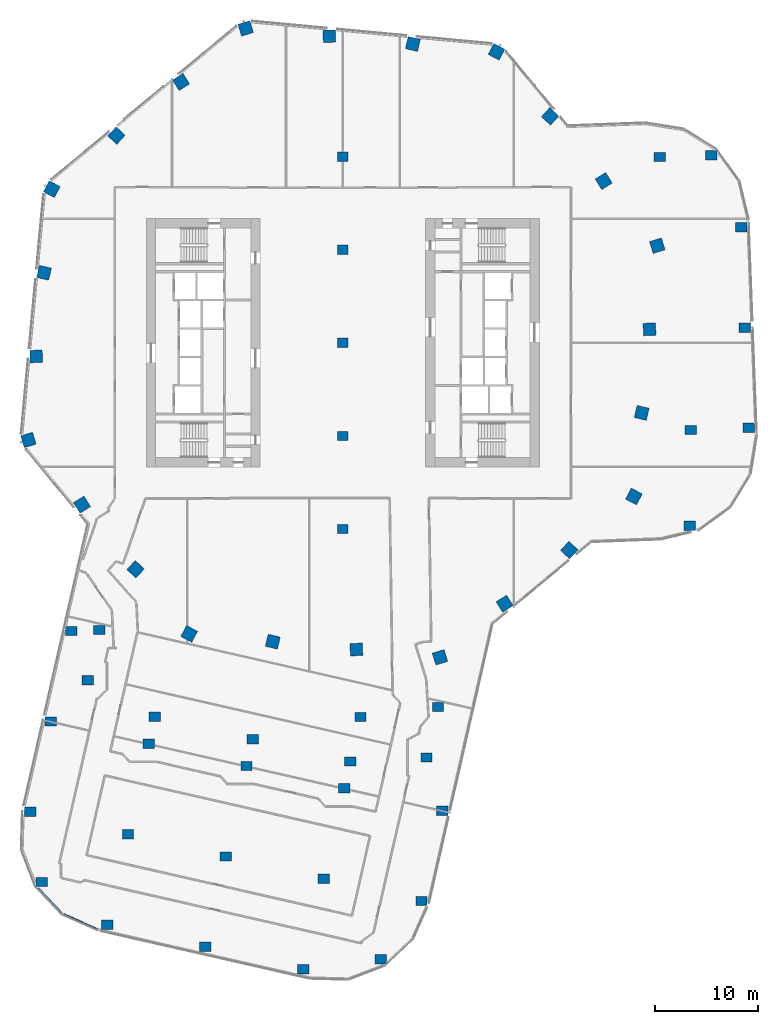
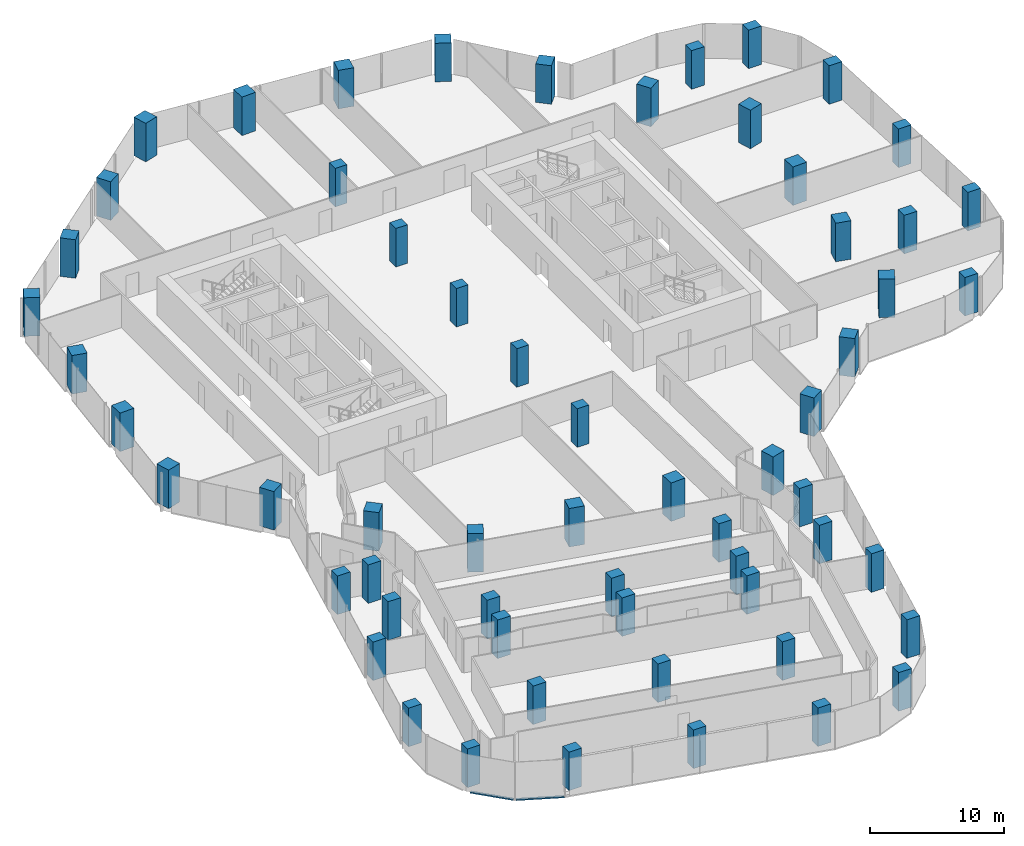
# One storey, part 1 of 24: 60 columns, 2 members, 2 elements without a shape of their own.
"""IFC4 building model written with IfcOpenShell, lengths in metres."""

from ifc_helpers import new_model, si_unit, direction, frame, origin, origin_2d, place, context, subcontext, project, spatial, rectangle, extrude, material, material_profile, profile_set, type_object, element, aggregate, save


model = new_model("IFC4")

# Units and contexts
model_context = context("Model", 3, precision=1e-05, world=origin(), true_north=direction((0.0, 1.0)))
body_context = subcontext(model_context, "Body", "Model", "MODEL_VIEW")
ifc_project = project(units=[si_unit("LENGTHUNIT", "METRE"), si_unit("AREAUNIT", "SQUARE_METRE"), si_unit("VOLUMEUNIT", "CUBIC_METRE"), si_unit("PLANEANGLEUNIT", "RADIAN"), si_unit("MASSUNIT", "GRAM", prefix="KILO")], contexts=[model_context])

# Site, building, storey
site_placement = place(None, origin())
site = spatial("IfcSite", under=ifc_project, at=site_placement, CompositionType="ELEMENT")
building_placement = place(site_placement, origin())
building = spatial("IfcBuilding", under=site, at=building_placement, Name="Orlundy Tower", CompositionType="ELEMENT")
storey_placement = place(building_placement, frame((0.0, 0.0, 174.10009765625)))
storey = spatial("IfcBuildingStorey", under=building, at=storey_placement, Name="L45", CompositionType="ELEMENT", Elevation=174.10009765625)

# Columns
ifc_material_1 = material(Name="Concrete C70/85", Category="concrete")
ifc_material_profile_1 = material_profile(ifc_material_1, rectangle(XDim=1.0, YDim=0.89990234375, at=origin_2d()), Name="RC1000X900")
ifc_profile_set_1 = profile_set([ifc_material_profile_1], Name="Concrete C70/85")
column_type_1 = type_object("IfcColumnType", Name="RC COLUMN RC1000X900 C70/85", PredefinedType="COLUMN", material=ifc_profile_set_1)
for number, where, z_axis, x_axis, name in (
    (1, (0.0, -18.0, 0.0), (0.0, 0.0, 1.0), (1.0, 0.0, 0.0), "Column C-M1 L45"),
    (2, (0.0, -9.0, 0.0), (0.0, 0.0, 1.0), (1.0, 0.0, 0.0), "Column C-M2 L45"),
    (3, (0.0, 0.0, 0.0), (0.0, 0.0, 1.0), (1.0, 0.0, 0.0), "Column C-M3 L45"),
    (4, (0.0, 9.0, 0.0), (0.0, 0.0, 1.0), (1.0, 0.0, 0.0), "Column C-M4 L45"),
    (5, (0.0, 18.0, 0.0), (0.0, 0.0, 1.0), (1.0, 0.0, 0.0), "Column C-M5 L45"),
):
    element("IfcColumn", number, at=place(storey_placement, frame(where, z_axis=z_axis, x_axis=x_axis)), inside=storey, type_object=column_type_1, Name=name, PredefinedType="COLUMN", context=body_context, shape_type="SweptSolid", body=[
        extrude(rectangle(XDim=1.0, YDim=0.89990234375, at=origin_2d()), origin(), (0.0, 0.0, 1.0), 3.5),
    ])
ifc_material_2 = material(Name="Concrete C70/85", Category="concrete")
ifc_material_profile_2 = material_profile(ifc_material_2, rectangle(XDim=1.10009765625, YDim=0.89990234375, at=origin_2d()), Name="RC1100X900")
ifc_profile_set_2 = profile_set([ifc_material_profile_2], Name="Concrete C70/85")
column_type_2 = type_object("IfcColumnType", Name="RC COLUMN RC1100X900 C70/85", PredefinedType="COLUMN", material=ifc_profile_set_2)
for number, where, z_axis, x_axis, name in (
    (6, (33.534912109375, -17.678955078125, 0.0), (0.0, 0.0, 1.0), (1.0, 0.0, 0.0), "Column C-A1-1 L45"),
    (7, (39.239013671875, -8.221923828125, 0.0), (0.0, 0.0, 1.0), (1.0, 0.0, 0.0), "Column C-A2-5 L45"),
    (8, (33.64306640625, -8.43408203125, 0.0), (0.0, 0.0, 1.0), (1.0, 0.0, 0.0), "Column C-A2-6 L45"),
    (9, (38.8720703125, 1.470947265625, 0.0), (0.0, 0.0, 1.0), (1.0, 0.0, 0.0), "Column C-A3-5 L45"),
    (10, (38.5048828125, 11.1640625, 0.0), (0.0, 0.0, 1.0), (1.0, 0.0, 0.0), "Column C-A4-5 L45"),
    (11, (35.632080078125, 18.153076171875, 0.0), (0.0, 0.0, 1.0), (1.0, 0.0, 0.0), "Column C-A5-5 L45"),
    (12, (30.635986328125, 17.964111328125, 0.0), (0.0, 0.0, 1.0), (1.0, 0.0, 0.0), "Column C-A5-6 L45"),
    (13, (-26.2451171875, -27.866943359375, 0.0), (0.0, 0.0, 1.0), (1.0, 0.0, 0.0), "Column C-B1-1 L45"),
    (14, (-28.237060546875, -36.60888671875, 0.0), (0.0, 0.0, 1.0), (1.0, 0.0, 0.0), "Column C-B1-2 L45"),
    (15, (-30.22802734375, -45.35205078125, 0.0), (0.0, 0.0, 1.0), (1.0, 0.0, 0.0), "Column C-B1-3 L45"),
    (16, (-29.09912109375, -52.132080078125, 0.0), (0.0, 0.0, 1.0), (1.0, 0.0, 0.0), "Column C-B1-5 L45"),
    (17, (-24.656982421875, -32.632080078125, 0.0), (0.0, 0.0, 1.0), (1.0, 0.0, 0.0), "Column C-B1-6 L45"),
    (18, (-23.547119140625, -27.757080078125, 0.0), (0.0, 0.0, 1.0), (1.0, 0.0, 0.0), "Column C-B1-7 L45"),
    (19, (-18.779052734375, -38.763916015625, 0.0), (0.0, 0.0, 1.0), (1.0, 0.0, 0.0), "Column C-B2-2 L45"),
    (20, (-20.77099609375, -47.507080078125, 0.0), (0.0, 0.0, 1.0), (1.0, 0.0, 0.0), "Column C-B2-3 L45"),
    (21, (-22.761962890625, -56.2490234375, 0.0), (0.0, 0.0, 1.0), (1.0, 0.0, 0.0), "Column C-B2-5 L45"),
    (22, (-18.18701171875, -36.1640625, 0.0), (0.0, 0.0, 1.0), (1.0, 0.0, 0.0), "Column C-B2-6 L45"),
    (23, (-9.321044921875, -40.91796875, 0.0), (0.0, 0.0, 1.0), (1.0, 0.0, 0.0), "Column C-B3-2 L45"),
    (24, (-11.31298828125, -49.660888671875, 0.0), (0.0, 0.0, 1.0), (1.0, 0.0, 0.0), "Column C-B3-3 L45"),
    (25, (-13.304931640625, -58.404052734375, 0.0), (0.0, 0.0, 1.0), (1.0, 0.0, 0.0), "Column C-B3-5 L45"),
    (26, (-8.72900390625, -38.318115234375, 0.0), (0.0, 0.0, 1.0), (1.0, 0.0, 0.0), "Column C-B3-6 L45"),
    (27, (0.135986328125, -43.072998046875, 0.0), (0.0, 0.0, 1.0), (1.0, 0.0, 0.0), "Column C-B4-2 L45"),
    (28, (-1.85498046875, -51.81591796875, 0.0), (0.0, 0.0, 1.0), (1.0, 0.0, 0.0), "Column C-B4-3 L45"),
    (29, (-3.846923828125, -60.55810546875, 0.0), (0.0, 0.0, 1.0), (1.0, 0.0, 0.0), "Column C-B4-5 L45"),
    (30, (0.72900390625, -40.472900390625, 0.0), (0.0, 0.0, 1.0), (1.0, 0.0, 0.0), "Column C-B4-6 L45"),
    (31, (1.7060546875, -36.18310546875, 0.0), (0.0, 0.0, 1.0), (1.0, 0.0, 0.0), "Column C-B4-7 L45"),
    (32, (9.593994140625, -45.22705078125, 0.0), (0.0, 0.0, 1.0), (1.0, 0.0, 0.0), "Column C-B5-2 L45"),
    (33, (7.60205078125, -53.969970703125, 0.0), (0.0, 0.0, 1.0), (1.0, 0.0, 0.0), "Column C-B5-3 L45"),
    (34, (3.64794921875, -59.592041015625, 0.0), (0.0, 0.0, 1.0), (1.0, 0.0, 0.0), "Column C-B5-5 L45"),
    (35, (8.090087890625, -40.092041015625, 0.0), (0.0, 0.0, 1.0), (1.0, 0.0, 0.0), "Column C-B5-6 L45"),
    (36, (9.200927734375, -35.217041015625, 0.0), (0.0, 0.0, 1.0), (1.0, 0.0, 0.0), "Column C-B5-7 L45"),
):
    element("IfcColumn", number, at=place(storey_placement, frame(where, z_axis=z_axis, x_axis=x_axis)), inside=storey, type_object=column_type_2, Name=name, PredefinedType="COLUMN", context=body_context, shape_type="SweptSolid", body=[
        extrude(rectangle(XDim=1.10009765625, YDim=0.89990234375, at=origin_2d()), origin(), (0.0, 0.0, 1.0), 3.5),
    ])
ifc_material_3 = material(Name="Concrete C70/85", Category="concrete")
ifc_material_profile_3 = material_profile(ifc_material_3, rectangle(XDim=1.199951171875, YDim=1.199951171875, at=origin_2d()), Name="RC1200X1200")
ifc_profile_set_3 = profile_set([ifc_material_profile_3], Name="Concrete C70/85")
column_type_3 = type_object("IfcColumnType", Name="RC COLUMN RC1200X1200 C70/85", PredefinedType="COLUMN", material=ifc_profile_set_3)
for number, where, z_axis, x_axis, name in (
    (37, (14.85791015625, 28.14111328125, 0.0), (0.0, 0.0, 1.0), (0.466896045022, 0.884312209088, 0.0), "Column C-H01 L45"),
    (38, (20.0400390625, 21.89111328125, 0.0), (0.0, 0.0, 1.0), (0.675229825281, 0.737607404417, 0.0), "Column C-H02 L45"),
    (39, (25.221923828125, 15.64208984375, 0.0), (0.0, 0.0, 1.0), (0.849837505645, 0.527044793162, 0.0), "Column C-H03 L45"),
    (40, (30.405029296875, 9.39208984375, 0.0), (0.0, 0.0, 1.0), (0.955453670607, 0.295141124421, 0.0), "Column C-H04 L45"),
    (41, (29.64990234375, 1.30908203125, 0.0), (0.0, 0.0, 1.0), (0.999026785832, 0.044107609201, 0.0), "Column C-H05 L45"),
    (42, (28.89501953125, -6.77392578125, 0.0), (0.0, 0.0, 1.0), (0.973602810382, -0.228248915914, 0.0), "Column C-H06 L45"),
    (43, (28.14111328125, -14.85791015625, 0.0), (0.0, 0.0, 1.0), (0.884312209088, -0.466896045022, 0.0), "Column C-H07 L45"),
    (44, (21.89111328125, -20.0400390625, 0.0), (0.0, 0.0, 1.0), (0.737607404417, -0.675229825281, 0.0), "Column C-H08 L45"),
    (45, (15.64208984375, -25.221923828125, 0.0), (0.0, 0.0, 1.0), (0.527044793162, -0.849837505645, 0.0), "Column C-H09 L45"),
    (46, (9.39208984375, -30.405029296875, 0.0), (0.0, 0.0, 1.0), (0.295141124421, -0.955453670607, 0.0), "Column C-H10 L45"),
    (47, (1.30908203125, -29.64990234375, 0.0), (0.0, 0.0, 1.0), (0.044107609201, -0.999026785832, 0.0), "Column C-H11 L45"),
    (48, (-6.77392578125, -28.89501953125, 0.0), (0.0, 0.0, 1.0), (-0.228248915914, -0.973602810382, 0.0), "Column C-H12 L45"),
    (49, (-14.85791015625, -28.14111328125, 0.0), (0.0, 0.0, 1.0), (-0.466896045022, -0.884312209088, 0.0), "Column C-H13 L45"),
    (50, (-20.0400390625, -21.89111328125, 0.0), (0.0, 0.0, 1.0), (-0.675229825281, -0.737607404417, 0.0), "Column C-H14 L45"),
    (51, (-25.221923828125, -15.64208984375, 0.0), (0.0, 0.0, 1.0), (-0.849837505645, -0.527044793162, 0.0), "Column C-H15 L45"),
    (52, (-30.405029296875, -9.39208984375, 0.0), (0.0, 0.0, 1.0), (-0.955453670607, -0.295141124421, 0.0), "Column C-H16 L45"),
    (53, (-29.64990234375, -1.30908203125, 0.0), (0.0, 0.0, 1.0), (-0.999026785832, -0.044107609201, 0.0), "Column C-H17 L45"),
    (54, (-28.89501953125, 6.77392578125, 0.0), (0.0, 0.0, 1.0), (-0.973602810382, 0.228248915914, 0.0), "Column C-H18 L45"),
    (55, (-28.14111328125, 14.85791015625, 0.0), (0.0, 0.0, 1.0), (-0.884312209088, 0.466896045022, 0.0), "Column C-H19 L45"),
    (56, (-21.89111328125, 20.0400390625, 0.0), (0.0, 0.0, 1.0), (-0.737607404417, 0.675229825281, 0.0), "Column C-H20 L45"),
    (57, (-15.64208984375, 25.221923828125, 0.0), (0.0, 0.0, 1.0), (-0.527044793162, 0.849837505645, 0.0), "Column C-H21 L45"),
    (58, (-9.39208984375, 30.405029296875, 0.0), (0.0, 0.0, 1.0), (-0.295141124421, 0.955453670607, 0.0), "Column C-H22 L45"),
    (59, (-1.30908203125, 29.64990234375, 0.0), (0.0, 0.0, 1.0), (-0.044107609201, 0.999026785832, 0.0), "Column C-H23 L45"),
    (60, (6.77392578125, 28.89501953125, 0.0), (0.0, 0.0, 1.0), (0.228248915914, 0.973602810382, 0.0), "Column C-H24 L45"),
):
    element("IfcColumn", number, at=place(storey_placement, frame(where, z_axis=z_axis, x_axis=x_axis)), inside=storey, type_object=column_type_3, Name=name, PredefinedType="COLUMN", context=body_context, shape_type="SweptSolid", body=[
        extrude(rectangle(XDim=1.199951171875, YDim=1.199951171875, at=origin_2d()), origin(), (0.0, 0.0, 1.0), 3.5),
    ])

# Curtain wall, member
ifc_material_4 = material(Name="Aluminium bronze anodised", Category="aluminium")
curtain_wall_type = type_object("IfcCurtainWallType", Name="CW1 wall", PredefinedType="NOTDEFINED", material=ifc_material_4)
curtain_wall_1_placement = place(storey_placement, origin())
curtain_wall_1 = element("IfcCurtainWall", 61, at=curtain_wall_1_placement, inside=storey, type_object=curtain_wall_type, Name="CW1 run 024", PredefinedType="NOTDEFINED")
ifc_material_5 = material(Name="Aluminium bronze anodised", Category="aluminium")
ifc_material_profile_4 = material_profile(ifc_material_5, rectangle(XDim=0.179931640625, YDim=0.1201171875, at=origin_2d()), Name="CW1 transom 180x120")
ifc_profile_set_4 = profile_set([ifc_material_profile_4], Name="Aluminium bronze anodised")
member_type = type_object("IfcMemberType", Name="CW1 transom 180x120", PredefinedType="USERDEFINED", material=ifc_profile_set_4)
member_1_placement = place(storey_placement, frame((-23.7275390625, -56.732421875, -0.360107421875), z_axis=(-0.912914391831, 0.408151091127, 0.0), x_axis=(-0.408151091127, -0.912914391831, 0.0)))
member_1 = element("IfcMember", 62, at=member_1_placement, type_object=member_type, Name="CW1 transom", ObjectType="TRANSOM", PredefinedType="USERDEFINED", context=body_context, shape_type="SweptSolid", body=[
    extrude(rectangle(XDim=0.179931640625, YDim=0.1201171875, at=origin_2d()), origin(), (0.0, 0.0, 1.0), 3.611083984375),
])
aggregate(curtain_wall_1, [member_1])

curtain_wall_2_placement = place(storey_placement, origin())
curtain_wall_2 = element("IfcCurtainWall", 63, at=curtain_wall_2_placement, inside=storey, type_object=curtain_wall_type, Name="CW1 run 025", PredefinedType="NOTDEFINED")
member_2_placement = place(storey_placement, frame((-27.1748046875, -55.153564453125, -0.360107421875), z_axis=(-0.687128806217, 0.726535617617, 0.0), x_axis=(-0.726535617617, -0.687128806217, 0.0)))
member_2 = element("IfcMember", 64, at=member_2_placement, type_object=member_type, Name="CW1 transom", ObjectType="TRANSOM", PredefinedType="USERDEFINED", context=body_context, shape_type="SweptSolid", body=[
    extrude(rectangle(XDim=0.179931640625, YDim=0.1201171875, at=origin_2d()), origin(), (0.0, 0.0, 1.0), 3.3330078125),
])
aggregate(curtain_wall_2, [member_2])

save(model, "model.ifc")
